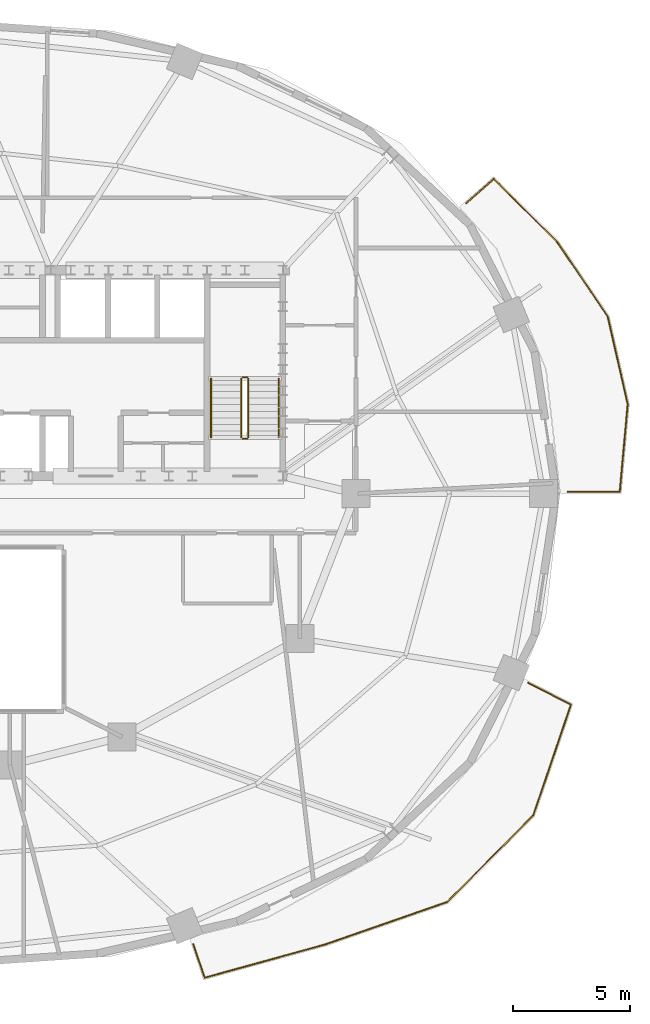
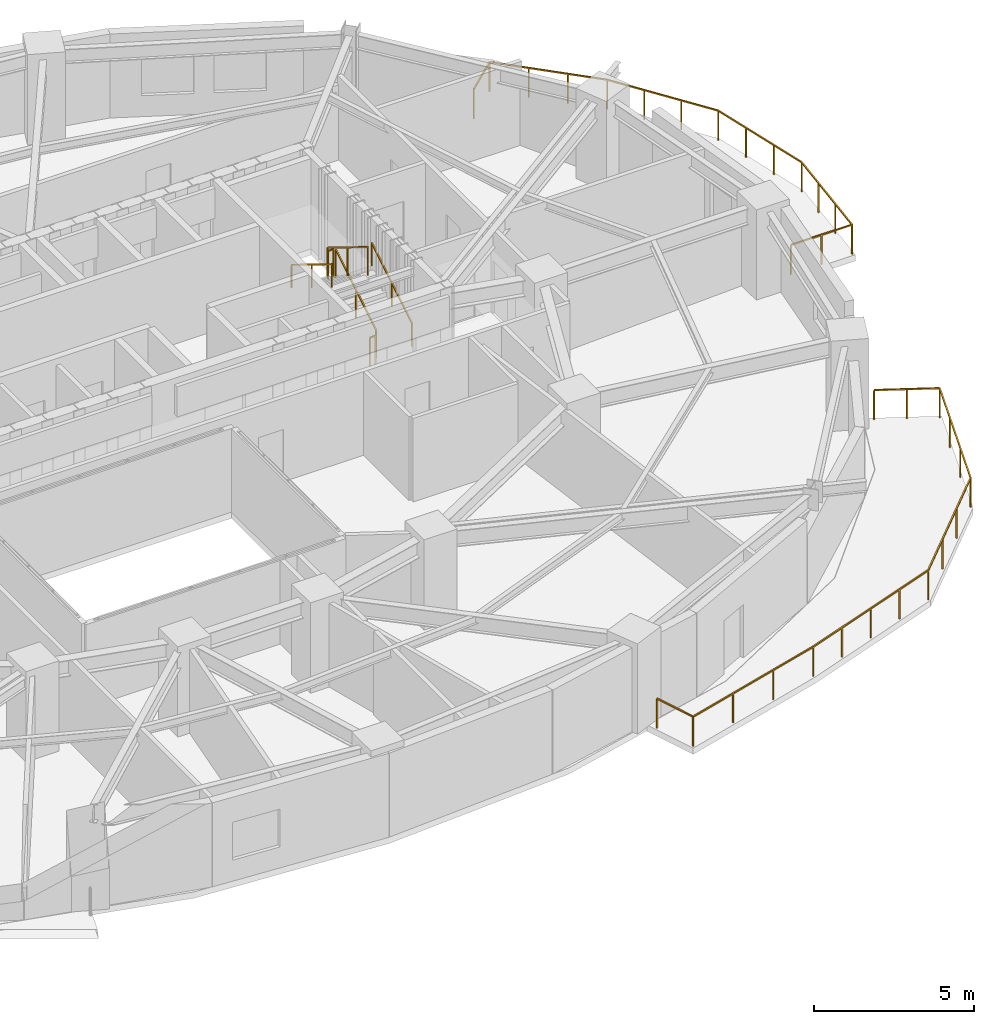
# One storey, part 11 of 11: 8 railings.
"""IFC4 building model written with IfcOpenShell, lengths in metres."""

from ifc_helpers import new_model, si_unit, direction, frame, origin, origin_2d, place, context, subcontext, project, spatial, rectangle, extrude, material, type_object, element, save


model = new_model("IFC4")

# Units and contexts
model_context = context("Model", 3, precision=1e-05, world=origin(), true_north=direction((0.0, 1.0)))
body_context = subcontext(model_context, "Body", "Model", "MODEL_VIEW")
ifc_project = project(units=[si_unit("LENGTHUNIT", "METRE"), si_unit("AREAUNIT", "SQUARE_METRE"), si_unit("VOLUMEUNIT", "CUBIC_METRE"), si_unit("PLANEANGLEUNIT", "RADIAN"), si_unit("MASSUNIT", "GRAM", prefix="KILO")], contexts=[model_context])

# Site, building, storey
site_placement = place(None, origin())
site = spatial("IfcSite", under=ifc_project, at=site_placement, CompositionType="ELEMENT")
building_placement = place(site_placement, origin())
building = spatial("IfcBuilding", under=site, at=building_placement, Name="Haldorwick Loom Tower", CompositionType="ELEMENT")
storey_placement = place(building_placement, frame((0.0, 0.0, 168.25)))
storey = spatial("IfcBuildingStorey", under=building, at=storey_placement, Name="L45", CompositionType="ELEMENT", Elevation=168.25)

# Railings
ifc_material_1 = material(Name="Galvanized Steel CSA G40.21 350W", Category="steel")
railing_type_1 = type_object("IfcRailingType", Name="ARC-RLG-BAL115", PredefinedType="BALUSTRADE", material=ifc_material_1)
railing_1_placement = place(storey_placement, frame((60.553466796875, 17.914794921875, 0.0)))
element("IfcRailing", 1, at=railing_1_placement, inside=storey, type_object=railing_type_1, Name="L45 Outdoor Terrace Guardrail SLB-L45-BAL_SE-1", PredefinedType="BALUSTRADE", context=body_context, shape_type="SweptSolid", body=[
    extrude(rectangle(XDim=0.048095703125, YDim=0.048095703125, at=origin_2d()), frame((0.0, 0.0, 1.1259765625), z_axis=(0.890336452493, -0.455303197181, 0.0), x_axis=(0.455303197181, 0.890336452493, 0.0)), (0.0, 0.0, 1.0), 2.0595703125),
    extrude(rectangle(XDim=0.048095703125, YDim=0.048095703125, at=origin_2d()), frame((1.833740234375, -0.937744140625, 1.1259765625), z_axis=(-0.322602238065, -0.946534624827, 0.0), x_axis=(0.946534624827, -0.322602238065, 0.0)), (0.0, 0.0, 1.0), 4.992431640625),
    extrude(rectangle(XDim=0.048095703125, YDim=0.048095703125, at=origin_2d()), frame((0.22314453125, -5.663330078125, 1.1259765625), z_axis=(-0.703914686056, -0.710284530843, 0.0), x_axis=(0.710284530843, -0.703914686056, 0.0)), (0.0, 0.0, 1.0), 5.212646484375),
    extrude(rectangle(XDim=0.048095703125, YDim=0.048095703125, at=origin_2d()), frame((-3.446044921875, -9.36572265625, 1.1259765625), z_axis=(-0.944255242704, -0.329214271603, 0.0), x_axis=(0.329214271603, -0.944255242704, 0.0)), (0.0, 0.0, 1.0), 5.514404296875),
    extrude(rectangle(XDim=0.048095703125, YDim=0.048095703125, at=origin_2d()), frame((-8.653076171875, -11.18115234375, 1.1259765625), z_axis=(-0.963887495087, -0.26630977604, 0.0), x_axis=(0.26630977604, -0.963887495087, 0.0)), (0.0, 0.0, 1.0), 5.362060546875),
    extrude(rectangle(XDim=0.048095703125, YDim=0.048095703125, at=origin_2d()), frame((-13.821533203125, -12.609130859375, 1.1259765625), z_axis=(-0.322406178713, 0.946601424005, 0.0), x_axis=(-0.946601424005, -0.322406178713, 0.0)), (0.0, 0.0, 1.0), 1.50390625),
    extrude(rectangle(XDim=0.0419921875, YDim=0.0419921875, at=origin_2d()), origin(), (0.0, 0.0, 1.0), 1.101806640625),
    extrude(rectangle(XDim=0.0419921875, YDim=0.0419921875, at=origin_2d()), frame((0.9169921875, -0.46875, 0.0)), (0.0, 0.0, 1.0), 1.101806640625),
    extrude(rectangle(XDim=0.0419921875, YDim=0.0419921875, at=origin_2d()), frame((1.833740234375, -0.937744140625, 0.0)), (0.0, 0.0, 1.0), 1.101806640625),
    extrude(rectangle(XDim=0.0419921875, YDim=0.0419921875, at=origin_2d()), frame((1.296875, -2.512939453125, 0.0)), (0.0, 0.0, 1.0), 1.101806640625),
    extrude(rectangle(XDim=0.0419921875, YDim=0.0419921875, at=origin_2d()), frame((0.760009765625, -4.088134765625, 0.0)), (0.0, 0.0, 1.0), 1.101806640625),
    extrude(rectangle(XDim=0.0419921875, YDim=0.0419921875, at=origin_2d()), frame((0.22314453125, -5.663330078125, 0.0)), (0.0, 0.0, 1.0), 1.101806640625),
    extrude(rectangle(XDim=0.0419921875, YDim=0.0419921875, at=origin_2d()), frame((-1.0, -6.8974609375, 0.0)), (0.0, 0.0, 1.0), 1.101806640625),
    extrude(rectangle(XDim=0.0419921875, YDim=0.0419921875, at=origin_2d()), frame((-2.222900390625, -8.131591796875, 0.0)), (0.0, 0.0, 1.0), 1.101806640625),
    extrude(rectangle(XDim=0.0419921875, YDim=0.0419921875, at=origin_2d()), frame((-3.446044921875, -9.36572265625, 0.0)), (0.0, 0.0, 1.0), 1.101806640625),
    extrude(rectangle(XDim=0.0419921875, YDim=0.0419921875, at=origin_2d()), frame((-4.747802734375, -9.819580078125, 0.0)), (0.0, 0.0, 1.0), 1.101806640625),
    extrude(rectangle(XDim=0.0419921875, YDim=0.0419921875, at=origin_2d()), frame((-6.049560546875, -10.2734375, 0.0)), (0.0, 0.0, 1.0), 1.101806640625),
    extrude(rectangle(XDim=0.0419921875, YDim=0.0419921875, at=origin_2d()), frame((-7.351318359375, -10.727294921875, 0.0)), (0.0, 0.0, 1.0), 1.101806640625),
    extrude(rectangle(XDim=0.0419921875, YDim=0.0419921875, at=origin_2d()), frame((-8.653076171875, -11.18115234375, 0.0)), (0.0, 0.0, 1.0), 1.101806640625),
    extrude(rectangle(XDim=0.0419921875, YDim=0.0419921875, at=origin_2d()), frame((-10.3759765625, -11.6572265625, 0.0)), (0.0, 0.0, 1.0), 1.101806640625),
    extrude(rectangle(XDim=0.0419921875, YDim=0.0419921875, at=origin_2d()), frame((-12.0986328125, -12.133056640625, 0.0)), (0.0, 0.0, 1.0), 1.101806640625),
    extrude(rectangle(XDim=0.0419921875, YDim=0.0419921875, at=origin_2d()), frame((-13.821533203125, -12.609130859375, 0.0)), (0.0, 0.0, 1.0), 1.101806640625),
    extrude(rectangle(XDim=0.0419921875, YDim=0.0419921875, at=origin_2d()), frame((-14.306396484375, -11.185546875, 0.0)), (0.0, 0.0, 1.0), 1.101806640625),
])
railing_2_placement = place(storey_placement, frame((57.914794921875, 38.414794921875, 0.0)))
element("IfcRailing", 2, at=railing_2_placement, inside=storey, type_object=railing_type_1, Name="L45 Outdoor Terrace Guardrail SLB-L45-BAL_ENE-1", PredefinedType="BALUSTRADE", context=body_context, shape_type="SweptSolid", body=[
    extrude(rectangle(XDim=0.048095703125, YDim=0.048095703125, at=origin_2d()), frame((0.0, 0.0, 1.1259765625), z_axis=(0.748099700709, 0.663586345399, 0.0), x_axis=(-0.663586345399, 0.748099700709, 0.0)), (0.0, 0.0, 1.0), 1.56005859375),
    extrude(rectangle(XDim=0.048095703125, YDim=0.048095703125, at=origin_2d()), frame((1.1669921875, 1.03515625, 1.1259765625), z_axis=(0.710110402441, -0.704090346721, 0.0), x_axis=(0.704090346721, 0.710110402441, 0.0)), (0.0, 0.0, 1.0), 3.81201171875),
    extrude(rectangle(XDim=0.048095703125, YDim=0.048095703125, at=origin_2d()), frame((3.8740234375, -1.64892578125, 1.1259765625), z_axis=(0.561419511162, -0.827531348341, 0.0), x_axis=(0.827531348341, 0.561419511162, 0.0)), (0.0, 0.0, 1.0), 3.86328125),
    extrude(rectangle(XDim=0.048095703125, YDim=0.048095703125, at=origin_2d()), frame((6.04296875, -4.845947265625, 1.1259765625), z_axis=(0.222293609144, -0.974979769705, 0.0), x_axis=(0.974979769705, 0.222293609144, 0.0)), (0.0, 0.0, 1.0), 3.843994140625),
    extrude(rectangle(XDim=0.048095703125, YDim=0.048095703125, at=origin_2d()), frame((6.8974609375, -8.59375, 1.1259765625), z_axis=(-0.090084493838, -0.995934126321, 0.0), x_axis=(0.995934126321, -0.090084493838, 0.0)), (0.0, 0.0, 1.0), 3.75634765625),
    extrude(rectangle(XDim=0.048095703125, YDim=0.048095703125, at=origin_2d()), frame((6.55908203125, -12.334716796875, 1.1259765625), z_axis=(-1.0, 0.0, 0.0), x_axis=(0.0, -1.0, 0.0)), (0.0, 0.0, 1.0), 2.213623046875),
    extrude(rectangle(XDim=0.0419921875, YDim=0.0419921875, at=origin_2d()), origin(), (0.0, 0.0, 1.0), 1.101806640625),
    extrude(rectangle(XDim=0.0419921875, YDim=0.0419921875, at=origin_2d()), frame((1.1669921875, 1.03515625, 0.0)), (0.0, 0.0, 1.0), 1.101806640625),
    extrude(rectangle(XDim=0.0419921875, YDim=0.0419921875, at=origin_2d()), frame((2.0693359375, 0.140380859375, 0.0)), (0.0, 0.0, 1.0), 1.101806640625),
    extrude(rectangle(XDim=0.0419921875, YDim=0.0419921875, at=origin_2d()), frame((2.9716796875, -0.754150390625, 0.0)), (0.0, 0.0, 1.0), 1.101806640625),
    extrude(rectangle(XDim=0.0419921875, YDim=0.0419921875, at=origin_2d()), frame((3.8740234375, -1.64892578125, 0.0)), (0.0, 0.0, 1.0), 1.101806640625),
    extrude(rectangle(XDim=0.0419921875, YDim=0.0419921875, at=origin_2d()), frame((4.596923828125, -2.714599609375, 0.0)), (0.0, 0.0, 1.0), 1.101806640625),
    extrude(rectangle(XDim=0.0419921875, YDim=0.0419921875, at=origin_2d()), frame((5.320068359375, -3.7802734375, 0.0)), (0.0, 0.0, 1.0), 1.101806640625),
    extrude(rectangle(XDim=0.0419921875, YDim=0.0419921875, at=origin_2d()), frame((6.04296875, -4.845947265625, 0.0)), (0.0, 0.0, 1.0), 1.101806640625),
    extrude(rectangle(XDim=0.0419921875, YDim=0.0419921875, at=origin_2d()), frame((6.327880859375, -6.09521484375, 0.0)), (0.0, 0.0, 1.0), 1.101806640625),
    extrude(rectangle(XDim=0.0419921875, YDim=0.0419921875, at=origin_2d()), frame((6.612548828125, -7.344482421875, 0.0)), (0.0, 0.0, 1.0), 1.101806640625),
    extrude(rectangle(XDim=0.0419921875, YDim=0.0419921875, at=origin_2d()), frame((6.8974609375, -8.59375, 0.0)), (0.0, 0.0, 1.0), 1.101806640625),
    extrude(rectangle(XDim=0.0419921875, YDim=0.0419921875, at=origin_2d()), frame((6.78466796875, -9.8408203125, 0.0)), (0.0, 0.0, 1.0), 1.101806640625),
    extrude(rectangle(XDim=0.0419921875, YDim=0.0419921875, at=origin_2d()), frame((6.671875, -11.087646484375, 0.0)), (0.0, 0.0, 1.0), 1.101806640625),
    extrude(rectangle(XDim=0.0419921875, YDim=0.0419921875, at=origin_2d()), frame((6.55908203125, -12.334716796875, 0.0)), (0.0, 0.0, 1.0), 1.101806640625),
    extrude(rectangle(XDim=0.0419921875, YDim=0.0419921875, at=origin_2d()), frame((5.4521484375, -12.334716796875, 0.0)), (0.0, 0.0, 1.0), 1.101806640625),
    extrude(rectangle(XDim=0.0419921875, YDim=0.0419921875, at=origin_2d()), frame((4.345458984375, -12.334716796875, 0.0)), (0.0, 0.0, 1.0), 1.101806640625),
])
ifc_material_2 = material(Name="Steel CSA G40.21 350W", Category="steel")
railing_type_2 = type_object("IfcRailingType", Name="ARC-RLG-GUARD112", PredefinedType="GUARDRAIL", material=ifc_material_2)
railing_3_placement = place(storey_placement, frame((48.60009765625, 28.39990234375, 0.172607421875)))
element("IfcRailing", 3, at=railing_3_placement, inside=storey, type_object=railing_type_2, Name="L45 ST-02 stair guard 1", PredefinedType="GUARDRAIL", context=body_context, shape_type="SweptSolid", body=[
    extrude(rectangle(XDim=0.048095703125, YDim=0.048095703125, at=origin_2d()), frame((0.0, 0.0, 1.076171875), z_axis=(0.0, 0.851400495292, 0.524516154772), x_axis=(-1.0, 0.0, 0.0)), (0.0, 0.0, 1.0), 2.9599609375),
    extrude(rectangle(XDim=0.0419921875, YDim=0.0419921875, at=origin_2d()), origin(), (0.0, 0.0, 1.0), 1.052001953125),
    extrude(rectangle(XDim=0.0419921875, YDim=0.0419921875, at=origin_2d()), frame((0.0, 1.260009765625, 0.7763671875)), (0.0, 0.0, 1.0), 1.052001953125),
    extrude(rectangle(XDim=0.0419921875, YDim=0.0419921875, at=origin_2d()), frame((0.0, 2.52001953125, 1.552490234375)), (0.0, 0.0, 1.0), 1.052001953125),
])
railing_4_placement = place(storey_placement, frame((48.550048828125, 30.969970703125, 1.72509765625)))
element("IfcRailing", 4, at=railing_4_placement, inside=storey, type_object=railing_type_2, Name="L45 ST-02 stair guard 2", PredefinedType="GUARDRAIL", context=body_context, shape_type="SweptSolid", body=[
    extrude(rectangle(XDim=0.048095703125, YDim=0.048095703125, at=origin_2d()), frame((0.0, 0.0, 1.076171875), z_axis=(-1.0, 0.0, 0.0), x_axis=(0.0, -1.0, 0.0)), (0.0, 0.0, 1.0), 0.199951171875),
    extrude(rectangle(XDim=0.0419921875, YDim=0.0419921875, at=origin_2d()), origin(), (0.0, 0.0, 1.0), 1.052001953125),
    extrude(rectangle(XDim=0.0419921875, YDim=0.0419921875, at=origin_2d()), frame((-0.199951171875, 0.0, 0.0)), (0.0, 0.0, 1.0), 1.052001953125),
])
railing_5_placement = place(storey_placement, frame((48.300048828125, 30.919921875, 1.8974609375)))
element("IfcRailing", 5, at=railing_5_placement, inside=storey, type_object=railing_type_2, Name="L45 ST-02 stair guard 3", PredefinedType="GUARDRAIL", context=body_context, shape_type="SweptSolid", body=[
    extrude(rectangle(XDim=0.048095703125, YDim=0.048095703125, at=origin_2d()), frame((0.0, 0.0, 1.076171875), z_axis=(0.0, -0.851400495292, 0.524516154772), x_axis=(1.0, 0.0, 0.0)), (0.0, 0.0, 1.0), 2.9599609375),
    extrude(rectangle(XDim=0.0419921875, YDim=0.0419921875, at=origin_2d()), origin(), (0.0, 0.0, 1.0), 1.052001953125),
    extrude(rectangle(XDim=0.0419921875, YDim=0.0419921875, at=origin_2d()), frame((0.0, -1.260009765625, 0.7763671875)), (0.0, 0.0, 1.0), 1.052001953125),
    extrude(rectangle(XDim=0.0419921875, YDim=0.0419921875, at=origin_2d()), frame((0.0, -2.52001953125, 1.552490234375)), (0.0, 0.0, 1.0), 1.052001953125),
])
railing_6_placement = place(storey_placement, frame((48.550048828125, 28.35009765625, 0.0)))
element("IfcRailing", 6, at=railing_6_placement, inside=storey, type_object=railing_type_2, Name="L45 ST-02 stair guard 4", PredefinedType="GUARDRAIL", context=body_context, shape_type="SweptSolid", body=[
    extrude(rectangle(XDim=0.048095703125, YDim=0.048095703125, at=origin_2d()), frame((0.0, 0.0, 1.076171875), z_axis=(-1.0, 0.0, 0.0), x_axis=(0.0, -1.0, 0.0)), (0.0, 0.0, 1.0), 0.199951171875),
    extrude(rectangle(XDim=0.0419921875, YDim=0.0419921875, at=origin_2d()), origin(), (0.0, 0.0, 1.0), 1.052001953125),
    extrude(rectangle(XDim=0.0419921875, YDim=0.0419921875, at=origin_2d()), frame((-0.199951171875, 0.0, 0.0)), (0.0, 0.0, 1.0), 1.052001953125),
])
railing_type_3 = type_object("IfcRailingType", Name="ARC-RLG-HAND092", PredefinedType="HANDRAIL", material=ifc_material_2)
railing_7_placement = place(storey_placement, frame((49.89990234375, 28.39990234375, 0.172607421875)))
element("IfcRailing", 7, at=railing_7_placement, inside=storey, type_object=railing_type_3, Name="L45 ST-02 stair handrail 1", PredefinedType="HANDRAIL", context=body_context, shape_type="SweptSolid", body=[
    extrude(rectangle(XDim=0.048095703125, YDim=0.048095703125, at=origin_2d()), frame((0.0, 0.0, 0.8759765625), z_axis=(0.0, 0.851400495292, 0.524516154772), x_axis=(-1.0, 0.0, 0.0)), (0.0, 0.0, 1.0), 2.9599609375),
    extrude(rectangle(XDim=0.0419921875, YDim=0.0419921875, at=origin_2d()), origin(), (0.0, 0.0, 1.0), 0.851806640625),
    extrude(rectangle(XDim=0.0419921875, YDim=0.0419921875, at=origin_2d()), frame((0.0, 1.260009765625, 0.7763671875)), (0.0, 0.0, 1.0), 0.851806640625),
    extrude(rectangle(XDim=0.0419921875, YDim=0.0419921875, at=origin_2d()), frame((0.0, 2.52001953125, 1.552490234375)), (0.0, 0.0, 1.0), 0.851806640625),
])
railing_8_placement = place(storey_placement, frame((47.0, 30.919921875, 1.8974609375)))
element("IfcRailing", 8, at=railing_8_placement, inside=storey, type_object=railing_type_3, Name="L45 ST-02 stair handrail 2", PredefinedType="HANDRAIL", context=body_context, shape_type="SweptSolid", body=[
    extrude(rectangle(XDim=0.048095703125, YDim=0.048095703125, at=origin_2d()), frame((0.0, 0.0, 0.8759765625), z_axis=(0.0, -0.851400495292, 0.524516154772), x_axis=(1.0, 0.0, 0.0)), (0.0, 0.0, 1.0), 2.9599609375),
    extrude(rectangle(XDim=0.0419921875, YDim=0.0419921875, at=origin_2d()), origin(), (0.0, 0.0, 1.0), 0.851806640625),
    extrude(rectangle(XDim=0.0419921875, YDim=0.0419921875, at=origin_2d()), frame((0.0, -1.260009765625, 0.7763671875)), (0.0, 0.0, 1.0), 0.851806640625),
    extrude(rectangle(XDim=0.0419921875, YDim=0.0419921875, at=origin_2d()), frame((0.0, -2.52001953125, 1.552490234375)), (0.0, 0.0, 1.0), 0.851806640625),
])

save(model, "model.ifc")
